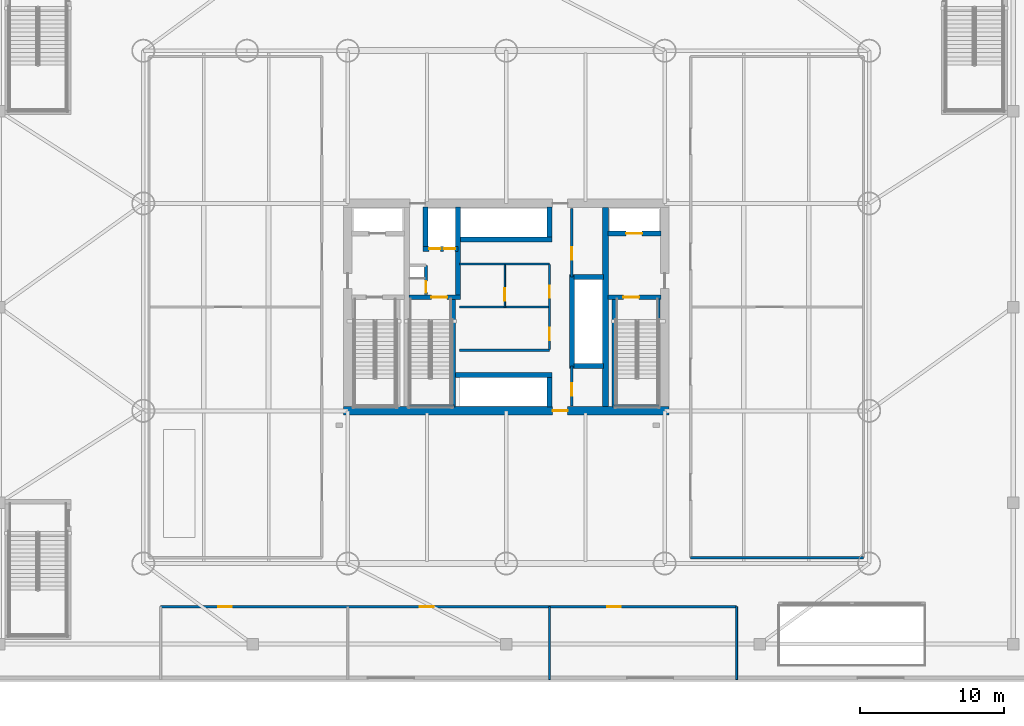
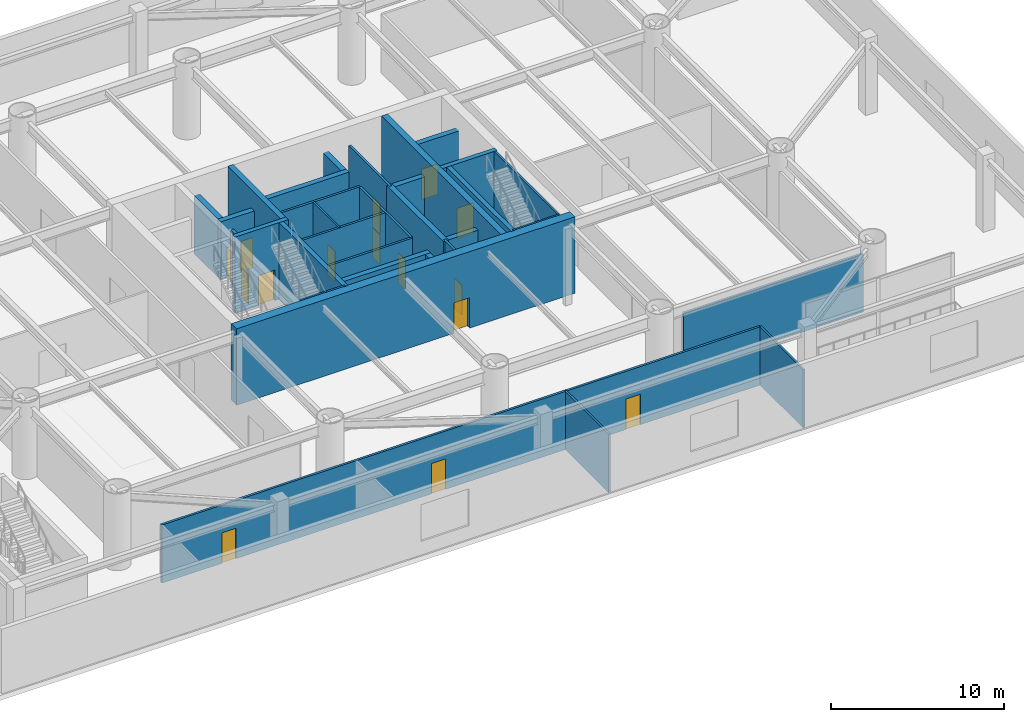
# One storey, part 7 of 16: 32 walls, 15 doors, 15 openings.
"""IFC4 building model written with IfcOpenShell, lengths in metres."""

from ifc_helpers import new_model, si_unit, direction, frame, frame_2d, origin, place, context, subcontext, project, spatial, rectangle, extrude, material, layer, layer_set, type_object, element, fill, save


model = new_model("IFC4")

# Units and contexts
model_context = context("Model", 3, precision=1e-05, world=origin(), true_north=direction((0.0, 1.0)))
body_context = subcontext(model_context, "Body", "Model", "MODEL_VIEW")
ifc_project = project(units=[si_unit("LENGTHUNIT", "METRE"), si_unit("AREAUNIT", "SQUARE_METRE"), si_unit("VOLUMEUNIT", "CUBIC_METRE"), si_unit("PLANEANGLEUNIT", "RADIAN"), si_unit("MASSUNIT", "GRAM", prefix="KILO")], contexts=[model_context])

# Site, building, storey
site_placement = place(None, origin())
site = spatial("IfcSite", under=ifc_project, at=site_placement, CompositionType="ELEMENT")
building_placement = place(site_placement, origin())
building = spatial("IfcBuilding", under=site, at=building_placement, Name="Bramvorn Convention Spire", CompositionType="ELEMENT")
storey_placement = place(building_placement, frame((0.0, 0.0, 6.60009765625)))
storey = spatial("IfcBuildingStorey", under=building, at=storey_placement, Name="L01", CompositionType="ELEMENT", Elevation=6.60009765625)

# Wall, opening, door
ifc_material_1 = material(Name="Concrete C60/70", Category="concrete")
ifc_layer_1 = layer(ifc_material_1, 0.60009765625)
ifc_layer_set_1 = layer_set([ifc_layer_1], Name="Concrete C60/70 - WL-CORE-600")
wall_type_1 = type_object("IfcWallType", Name="WL-CORE-600", PredefinedType="SHEAR", material=ifc_layer_set_1)
wall_1_placement = place(storey_placement, frame((26.699951171875, 18.800048828125, 0.0), z_axis=(0.0, 0.0, 1.0), x_axis=(1.0, 0.0, 0.0)))
wall_1 = element("IfcWall", 1, at=wall_1_placement, inside=storey, type_object=wall_type_1, Name="L01 South RC core shear wall", PredefinedType="SHEAR", context=body_context, shape_type="SweptSolid", body=[
    extrude(rectangle(XDim=22.60009765625, YDim=0.60009765625, at=frame_2d((11.300048828125, 0.0))), origin(), (0.0, 0.0, 1.0), 5.39990234375),
])
opening_1_placement = place(wall_1_placement, frame((14.52001953125, 0.0, 0.0)))
opening_1 = element("IfcOpeningElement", 2, at=opening_1_placement, cuts=wall_1, Name="Opening DL-105", PredefinedType="OPENING", context=body_context, shape_type="SweptSolid", body=[
    extrude(rectangle(XDim=1.050048828125, YDim=2.14990234375, at=frame_2d((0.52490234375, 1.074951171875))), frame((0.0, 0.31005859375, 0.0), z_axis=(0.0, -1.0, 0.0), x_axis=(1.0, 0.0, 0.0)), (0.0, 0.0, 1.0), 0.6201171875),
])
ifc_material_2 = material(Name="Smoke-Sealed Fire Lobby Timber-Core Door", Category="wood")
door_type_1 = type_object("IfcDoorType", Name="DR-LOBBY-1050", OperationType="NOTDEFINED", PredefinedType="DOOR", material=ifc_material_2)
door_1_placement = place(opening_1_placement, origin())
door_1 = element("IfcDoor", 3, at=door_1_placement, inside=storey, type_object=door_type_1, Name="L01 South Lift Lobby fire door", OperationType="SINGLE_SWING_RIGHT", OverallHeight=2.14990234375, OverallWidth=1.050048828125, PredefinedType="DOOR", context=body_context, shape_type="SweptSolid", body=[
    extrude(rectangle(XDim=1.050048828125, YDim=2.14990234375, at=frame_2d((0.52490234375, 1.074951171875))), frame((0.0, 0.02490234375, 0.0), z_axis=(0.0, -1.0, 0.0), x_axis=(1.0, 0.0, 0.0)), (0.0, 0.0, 1.0), 0.050048828125),
])
fill(opening_1, door_1)

ifc_material_3 = material(Name="Concrete C50/60", Category="concrete")
ifc_layer_2 = layer(ifc_material_3, 0.35009765625)
ifc_layer_set_2 = layer_set([ifc_layer_2], Name="Concrete C50/60 - WL-CORE-INT-350")
wall_type_2 = type_object("IfcWallType", Name="WL-CORE-INT-350", PredefinedType="SHEAR", material=ifc_layer_set_2)
wall_2_placement = place(storey_placement, frame((45.080078125, 31.1201171875, 0.0), z_axis=(0.0, 0.0, 1.0), x_axis=(1.0, 0.0, 0.0)))
wall_2 = element("IfcWall", 4, at=wall_2_placement, inside=storey, type_object=wall_type_2, Name="L01 FE2 shaft front wall", PredefinedType="SHEAR", context=body_context, shape_type="SweptSolid", body=[
    extrude(rectangle(XDim=3.669921875, YDim=0.35009765625, at=frame_2d((1.8349609375, 0.0))), origin(), (0.0, 0.0, 1.0), 4.10986328125),
])
opening_2_placement = place(wall_2_placement, frame((1.25, 0.0, 0.0)))
opening_2 = element("IfcOpeningElement", 5, at=opening_2_placement, cuts=wall_2, Name="Opening LD-110", PredefinedType="OPENING", context=body_context, shape_type="SweptSolid", body=[
    extrude(rectangle(XDim=1.10009765625, YDim=2.14990234375, at=frame_2d((0.550048828125, 1.074951171875))), frame((0.0, 0.18505859375, 0.0), z_axis=(0.0, -1.0, 0.0), x_axis=(1.0, 0.0, 0.0)), (0.0, 0.0, 1.0), 0.3701171875),
])
ifc_material_4 = material(Name="Firefighting & Service Lift Sliding Landing Door", Category="steel")
door_type_2 = type_object("IfcDoorType", Name="DR-LIFT-LD-1100", OperationType="NOTDEFINED", PredefinedType="DOOR", material=ifc_material_4)
door_2_placement = place(opening_2_placement, origin())
door_2 = element("IfcDoor", 6, at=door_2_placement, inside=storey, type_object=door_type_2, Name="L01 Lift FE2 Sliding Landing Door", OperationType="SLIDING_TO_LEFT", OverallHeight=2.14990234375, OverallWidth=1.10009765625, PredefinedType="DOOR", context=body_context, shape_type="SweptSolid", body=[
    extrude(rectangle(XDim=1.10009765625, YDim=2.14990234375, at=frame_2d((0.550048828125, 1.074951171875))), frame((0.0, 0.02490234375, 0.0), z_axis=(0.0, -1.0, 0.0), x_axis=(1.0, 0.0, 0.0)), (0.0, 0.0, 1.0), 0.050048828125),
])
fill(opening_2, door_2)

# Wall
wall_3_placement = place(storey_placement, frame((34.639892578125, 26.68994140625, 0.0), z_axis=(0.0, 0.0, 1.0), x_axis=(0.0, 1.0, 0.0)))
element("IfcWall", 7, at=wall_3_placement, inside=storey, type_object=wall_type_2, Name="L01 SV east core shaft wall", PredefinedType="SHEAR", context=body_context, shape_type="SweptSolid", body=[
    extrude(rectangle(XDim=6.260009765625, YDim=0.35009765625, at=frame_2d((3.1298828125, 0.0))), origin(), (0.0, 0.0, 1.0), 5.39990234375),
])

# Wall, openings, doors
wall_4_placement = place(storey_placement, frame((32.22998046875, 30.050048828125, 0.0), z_axis=(0.0, 0.0, 1.0), x_axis=(1.0, 0.0, 0.0)))
wall_4 = element("IfcWall", 8, at=wall_4_placement, inside=storey, type_object=wall_type_2, Name="L01 SV1/SV2 shaft front wall", PredefinedType="SHEAR", context=body_context, shape_type="SweptSolid", body=[
    extrude(rectangle(XDim=2.409912109375, YDim=0.35009765625, at=frame_2d((1.205078125, 0.0))), origin(), (0.0, 0.0, 1.0), 4.10986328125),
])
opening_3_placement = place(wall_4_placement, frame((0.419921875, 0.0, 0.0)))
opening_3 = element("IfcOpeningElement", 9, at=opening_3_placement, cuts=wall_4, Name="Opening LD-080", PredefinedType="OPENING", context=body_context, shape_type="SweptSolid", body=[
    extrude(rectangle(XDim=0.800048828125, YDim=2.14990234375, at=frame_2d((0.39990234375, 1.074951171875))), frame((0.0, 0.18505859375, 0.0), z_axis=(0.0, -1.0, 0.0), x_axis=(1.0, 0.0, 0.0)), (0.0, 0.0, 1.0), 0.3701171875),
])
opening_4_placement = place(wall_4_placement, frame((1.419921875, 0.0, 0.0)))
opening_4 = element("IfcOpeningElement", 10, at=opening_4_placement, cuts=wall_4, Name="Opening LD-080", PredefinedType="OPENING", context=body_context, shape_type="SweptSolid", body=[
    extrude(rectangle(XDim=0.800048828125, YDim=2.14990234375, at=frame_2d((0.39990234375, 1.074951171875))), frame((0.0, 0.18505859375, 0.0), z_axis=(0.0, -1.0, 0.0), x_axis=(1.0, 0.0, 0.0)), (0.0, 0.0, 1.0), 0.3701171875),
])
ifc_material_5 = material(Name="Service Lift Bi-Parting Landing Door", Category="steel")
door_type_3 = type_object("IfcDoorType", Name="DR-LIFT-LD-800", OperationType="NOTDEFINED", PredefinedType="DOOR", material=ifc_material_5)
door_3_placement = place(opening_3_placement, origin())
door_3 = element("IfcDoor", 11, at=door_3_placement, inside=storey, type_object=door_type_3, Name="L01 Lift SV1 Sliding Landing Door", OperationType="SLIDING_TO_LEFT", OverallHeight=2.14990234375, OverallWidth=0.800048828125, PredefinedType="DOOR", context=body_context, shape_type="SweptSolid", body=[
    extrude(rectangle(XDim=0.800048828125, YDim=2.14990234375, at=frame_2d((0.39990234375, 1.074951171875))), frame((0.0, 0.02490234375, 0.0), z_axis=(0.0, -1.0, 0.0), x_axis=(1.0, 0.0, 0.0)), (0.0, 0.0, 1.0), 0.050048828125),
])
fill(opening_3, door_3)
door_4_placement = place(opening_4_placement, origin())
door_4 = element("IfcDoor", 12, at=door_4_placement, inside=storey, type_object=door_type_3, Name="L01 Lift SV2 Sliding Landing Door", OperationType="SLIDING_TO_LEFT", OverallHeight=2.14990234375, OverallWidth=0.800048828125, PredefinedType="DOOR", context=body_context, shape_type="SweptSolid", body=[
    extrude(rectangle(XDim=0.800048828125, YDim=2.14990234375, at=frame_2d((0.39990234375, 1.074951171875))), frame((0.0, 0.02490234375, 0.0), z_axis=(0.0, -1.0, 0.0), x_axis=(1.0, 0.0, 0.0)), (0.0, 0.0, 1.0), 0.050048828125),
])
fill(opening_4, door_4)

# Walls
wall_5_placement = place(storey_placement, frame((32.39990234375, 30.219970703125, 0.0), z_axis=(0.0, 0.0, 1.0), x_axis=(0.0, 1.0, 0.0)))
element("IfcWall", 13, at=wall_5_placement, inside=storey, type_object=wall_type_2, Name="L01 SV1 west hoistway wall", PredefinedType="SHEAR", context=body_context, shape_type="SweptSolid", body=[
    extrude(rectangle(XDim=2.72998046875, YDim=0.35009765625, at=frame_2d((1.364990234375, 0.0))), origin(), (0.0, 0.0, 1.0), 4.10986328125),
])
wall_6_placement = place(storey_placement, frame((42.550048828125, 21.72998046875, 0.0), z_axis=(0.0, 0.0, 1.0), x_axis=(0.0, 1.0, 0.0)))
element("IfcWall", 14, at=wall_6_placement, inside=storey, type_object=wall_type_2, Name="L01 High-rise lift bank west wall", PredefinedType="SHEAR", context=body_context, shape_type="SweptSolid", body=[
    extrude(rectangle(XDim=6.5400390625, YDim=0.35009765625, at=frame_2d((3.27001953125, 0.0))), origin(), (0.0, 0.0, 1.0), 4.10986328125),
])
for number, where, z_axis, x_axis, name in (
    (15, (42.719970703125, 21.89990234375, 0.0), (0.0, 0.0, 1.0), (1.0, 0.0, 0.0), "L01 High-rise lift bank south wall"),
    (16, (42.719970703125, 28.10009765625, 0.0), (0.0, 0.0, 1.0), (1.0, 0.0, 0.0), "L01 High-rise lift bank north wall"),
):
    element("IfcWall", number, at=place(storey_placement, frame(where, z_axis=z_axis, x_axis=x_axis)), inside=storey, type_object=wall_type_2, Name=name, PredefinedType="SHEAR", context=body_context, shape_type="SweptSolid", body=[
        extrude(rectangle(XDim=2.030029296875, YDim=0.35009765625, at=frame_2d((1.01513671875, 0.0))), origin(), (0.0, 0.0, 1.0), 4.10986328125),
    ])
wall_7_placement = place(storey_placement, frame((34.81005859375, 30.699951171875, 0.0), z_axis=(0.0, 0.0, 1.0), x_axis=(1.0, 0.0, 0.0)))
element("IfcWall", 17, at=wall_7_placement, inside=storey, type_object=wall_type_2, Name="L01 Low-rise bank south landing wall", PredefinedType="SHEAR", context=body_context, shape_type="SweptSolid", body=[
    extrude(rectangle(XDim=6.35986328125, YDim=0.35009765625, at=frame_2d((3.179931640625, 0.0))), origin(), (0.0, 0.0, 1.0), 4.10986328125),
])
wall_8_placement = place(storey_placement, frame((41.0, 30.8701171875, 0.0), z_axis=(0.0, 0.0, 1.0), x_axis=(0.0, 1.0, 0.0)))
element("IfcWall", 18, at=wall_8_placement, inside=storey, type_object=wall_type_2, Name="L01 Low-rise bank east cheek wall", PredefinedType="SHEAR", context=body_context, shape_type="SweptSolid", body=[
    extrude(rectangle(XDim=2.079833984375, YDim=0.35009765625, at=frame_2d((1.0400390625, 0.0))), origin(), (0.0, 0.0, 1.0), 4.10986328125),
])
wall_9_placement = place(storey_placement, frame((34.489990234375, 21.300048828125, 0.0), z_axis=(0.0, 0.0, 1.0), x_axis=(1.0, 0.0, 0.0)))
element("IfcWall", 19, at=wall_9_placement, inside=storey, type_object=wall_type_2, Name="L01 Mid-rise bank north landing wall", PredefinedType="SHEAR", context=body_context, shape_type="SweptSolid", body=[
    extrude(rectangle(XDim=6.679931640625, YDim=0.35009765625, at=frame_2d((3.33984375, 0.0))), origin(), (0.0, 0.0, 1.0), 4.10986328125),
])
wall_10_placement = place(storey_placement, frame((41.0, 19.050048828125, 0.0), z_axis=(0.0, 0.0, 1.0), x_axis=(0.0, 1.0, 0.0)))
element("IfcWall", 20, at=wall_10_placement, inside=storey, type_object=wall_type_2, Name="L01 Mid-rise bank east cheek wall", PredefinedType="SHEAR", context=body_context, shape_type="SweptSolid", body=[
    extrude(rectangle(XDim=2.079833984375, YDim=0.35009765625, at=frame_2d((1.0400390625, 0.0))), origin(), (0.0, 0.0, 1.0), 4.10986328125),
])
ifc_layer_3 = layer(ifc_material_1, 0.39990234375)
ifc_layer_set_3 = layer_set([ifc_layer_3], Name="Concrete C60/70 - WL-CORE-INT-400")
wall_type_3 = type_object("IfcWallType", Name="WL-CORE-INT-400", PredefinedType="SHEAR", material=ifc_layer_set_3)
wall_11_placement = place(storey_placement, frame((44.89990234375, 19.10009765625, 0.0), z_axis=(0.0, 0.0, 1.0), x_axis=(0.0, 1.0, 0.0)))
element("IfcWall", 21, at=wall_11_placement, inside=storey, type_object=wall_type_3, Name="L01 East internal core shear web", PredefinedType="SHEAR", context=body_context, shape_type="SweptSolid", body=[
    extrude(rectangle(XDim=13.7998046875, YDim=0.39990234375, at=frame_2d((6.89990234375, 0.0))), origin(), (0.0, 0.0, 1.0), 5.39990234375),
])

# Wall, opening, door
ifc_material_6 = material(Name="Lightweight En-Suite & Wet-Wall Partition", Category="gypsum")
ifc_layer_4 = layer(ifc_material_6, 0.110107421875)
ifc_layer_set_4 = layer_set([ifc_layer_4], Name="Lightweight En-Suite & Wet-Wall Partition - WL-PART-110")
wall_type_4 = type_object("IfcWallType", Name="WL-PART-110", PredefinedType="PARTITIONING", material=ifc_layer_set_4)
wall_12_placement = place(storey_placement, frame((37.89990234375, 26.0, 0.0), z_axis=(0.0, 0.0, 1.0), x_axis=(0.0, 1.0, 0.0)))
wall_12 = element("IfcWall", 22, at=wall_12_placement, inside=storey, type_object=wall_type_4, Name="L01 Core restroom subwall", PredefinedType="PARTITIONING", context=body_context, shape_type="SweptSolid", body=[
    extrude(rectangle(XDim=2.949951171875, YDim=0.110107421875, at=frame_2d((1.47509765625, 0.0))), origin(), (0.0, 0.0, 1.0), 4.10986328125),
])
opening_5_placement = place(wall_12_placement, frame((0.449951171875, 0.0, 0.0)))
opening_5 = element("IfcOpeningElement", 23, at=opening_5_placement, cuts=wall_12, Name="Opening DC-085", PredefinedType="OPENING", context=body_context, shape_type="SweptSolid", body=[
    extrude(rectangle(XDim=0.85009765625, YDim=2.10009765625, at=frame_2d((0.425048828125, 1.050048828125))), frame((0.0, 0.06494140625, 0.0), z_axis=(0.0, -1.0, 0.0), x_axis=(1.0, 0.0, 0.0)), (0.0, 0.0, 1.0), 0.130126953125),
])
ifc_material_7 = material(Name="Fire-Rated Core Washroom & IDF Door", Category="wood")
door_type_4 = type_object("IfcDoorType", Name="DR-CORE-850", OperationType="NOTDEFINED", PredefinedType="DOOR", material=ifc_material_7)
door_5_placement = place(opening_5_placement, origin())
door_5 = element("IfcDoor", 24, at=door_5_placement, inside=storey, type_object=door_type_4, Name="L01 Core telecom store door", OperationType="SINGLE_SWING_LEFT", OverallHeight=2.10009765625, OverallWidth=0.85009765625, PredefinedType="DOOR", context=body_context, shape_type="SweptSolid", body=[
    extrude(rectangle(XDim=0.85009765625, YDim=2.10009765625, at=frame_2d((0.425048828125, 1.050048828125))), frame((0.0, 0.02490234375, 0.0), z_axis=(0.0, -1.0, 0.0), x_axis=(1.0, 0.0, 0.0)), (0.0, 0.0, 1.0), 0.050048828125),
])
fill(opening_5, door_5)

# Walls
ifc_material_8 = material(Name="Metal-Stud Demountable Office Partition", Category="gypsum")
ifc_layer_5 = layer(ifc_material_8, 0.1298828125)
ifc_layer_set_5 = layer_set([ifc_layer_5], Name="Metal-Stud Demountable Office Partition - WL-PART-130")
wall_type_5 = type_object("IfcWallType", Name="WL-PART-130", PredefinedType="PARTITIONING", material=ifc_layer_set_5)
for number, where, z_axis, x_axis, name in (
    (25, (41.0, 0.139892578125, 0.0), (0.0, 0.0, 1.0), (0.0, 1.0, 0.0), "L01 South divider 41"),
    (26, (54.0, 0.139892578125, 0.0), (0.0, 0.0, 1.0), (0.0, 1.0, 0.0), "L01 South divider 54"),
):
    element("IfcWall", number, at=place(storey_placement, frame(where, z_axis=z_axis, x_axis=x_axis)), inside=storey, type_object=wall_type_5, Name=name, PredefinedType="PARTITIONING", context=body_context, shape_type="SweptSolid", body=[
        extrude(rectangle(XDim=5.06005859375, YDim=0.1298828125, at=frame_2d((2.530029296875, 0.0))), origin(), (0.0, 0.0, 1.0), 4.10986328125),
    ])
ifc_material_9 = material(Name="Acoustic Metal-Stud Tenant/Corridor Partition", Category="gypsum")
ifc_layer_6 = layer(ifc_material_9, 0.14990234375)
ifc_layer_set_6 = layer_set([ifc_layer_6], Name="Acoustic Metal-Stud Tenant/Corridor Partition - WL-PART-150")
wall_type_6 = type_object("IfcWallType", Name="WL-PART-150", PredefinedType="PARTITIONING", material=ifc_layer_set_6)
for number, where, z_axis, x_axis, name in (
    (27, (34.75, 29.0, 0.0), (0.0, 0.0, 1.0), (1.0, 0.0, 0.0), "L01 Low-rise lift vestibule south wall"),
    (28, (34.75, 23.0, 0.0), (0.0, 0.0, 1.0), (1.0, 0.0, 0.0), "L01 Mid-rise lift vestibule north wall"),
):
    element("IfcWall", number, at=place(storey_placement, frame(where, z_axis=z_axis, x_axis=x_axis)), inside=storey, type_object=wall_type_6, Name=name, PredefinedType="PARTITIONING", context=body_context, shape_type="SweptSolid", body=[
        extrude(rectangle(XDim=6.25, YDim=0.14990234375, at=frame_2d((3.125, 0.0))), origin(), (0.0, 0.0, 1.0), 4.10986328125),
    ])

# Wall, openings, doors
wall_13_placement = place(storey_placement, frame((41.0, 23.050048828125, 0.0), z_axis=(0.0, 0.0, 1.0), x_axis=(0.0, 1.0, 0.0)))
wall_13 = element("IfcWall", 29, at=wall_13_placement, inside=storey, type_object=wall_type_6, Name="L01 Core room east wall", PredefinedType="PARTITIONING", context=body_context, shape_type="SweptSolid", body=[
    extrude(rectangle(XDim=5.89990234375, YDim=0.14990234375, at=frame_2d((2.949951171875, 0.0))), origin(), (0.0, 0.0, 1.0), 4.10986328125),
])
opening_6_placement = place(wall_13_placement, frame((0.64990234375, 0.0, 0.0)))
opening_6 = element("IfcOpeningElement", 30, at=opening_6_placement, cuts=wall_13, Name="Opening DC-085", PredefinedType="OPENING", context=body_context, shape_type="SweptSolid", body=[
    extrude(rectangle(XDim=0.85009765625, YDim=2.10009765625, at=frame_2d((0.425048828125, 1.050048828125))), frame((0.0, 0.0849609375, 0.0), z_axis=(0.0, -1.0, 0.0), x_axis=(1.0, 0.0, 0.0)), (0.0, 0.0, 1.0), 0.169921875),
])
opening_7_placement = place(wall_13_placement, frame((3.60009765625, 0.0, 0.0)))
opening_7 = element("IfcOpeningElement", 31, at=opening_7_placement, cuts=wall_13, Name="Opening DC-085", PredefinedType="OPENING", context=body_context, shape_type="SweptSolid", body=[
    extrude(rectangle(XDim=0.85009765625, YDim=2.10009765625, at=frame_2d((0.425048828125, 1.050048828125))), frame((0.0, 0.0849609375, 0.0), z_axis=(0.0, -1.0, 0.0), x_axis=(1.0, 0.0, 0.0)), (0.0, 0.0, 1.0), 0.169921875),
])
door_6_placement = place(opening_6_placement, origin())
door_6 = element("IfcDoor", 32, at=door_6_placement, inside=storey, type_object=door_type_4, Name="L01 Core room 1 door", OperationType="SINGLE_SWING_LEFT", OverallHeight=2.10009765625, OverallWidth=0.85009765625, PredefinedType="DOOR", context=body_context, shape_type="SweptSolid", body=[
    extrude(rectangle(XDim=0.85009765625, YDim=2.10009765625, at=frame_2d((0.425048828125, 1.050048828125))), frame((0.0, 0.02490234375, 0.0), z_axis=(0.0, -1.0, 0.0), x_axis=(1.0, 0.0, 0.0)), (0.0, 0.0, 1.0), 0.050048828125),
])
fill(opening_6, door_6)
door_7_placement = place(opening_7_placement, origin())
door_7 = element("IfcDoor", 33, at=door_7_placement, inside=storey, type_object=door_type_4, Name="L01 Core room 2 door", OperationType="SINGLE_SWING_LEFT", OverallHeight=2.10009765625, OverallWidth=0.85009765625, PredefinedType="DOOR", context=body_context, shape_type="SweptSolid", body=[
    extrude(rectangle(XDim=0.85009765625, YDim=2.10009765625, at=frame_2d((0.425048828125, 1.050048828125))), frame((0.0, 0.02490234375, 0.0), z_axis=(0.0, -1.0, 0.0), x_axis=(1.0, 0.0, 0.0)), (0.0, 0.0, 1.0), 0.050048828125),
])
fill(opening_7, door_7)

# Wall
wall_14_placement = place(storey_placement, frame((34.75, 26.0, 0.0), z_axis=(0.0, 0.0, 1.0), x_axis=(1.0, 0.0, 0.0)))
element("IfcWall", 34, at=wall_14_placement, inside=storey, type_object=wall_type_6, Name="L01 Core room divider", PredefinedType="PARTITIONING", context=body_context, shape_type="SweptSolid", body=[
    extrude(rectangle(XDim=6.25, YDim=0.14990234375, at=frame_2d((3.125, 0.0))), origin(), (0.0, 0.0, 1.0), 4.10986328125),
])

# Wall, opening, door
wall_15_placement = place(storey_placement, frame((42.550048828125, 28.10009765625, 0.0), z_axis=(0.0, 0.0, 1.0), x_axis=(0.0, 1.0, 0.0)))
wall_15 = element("IfcWall", 35, at=wall_15_placement, inside=storey, type_object=wall_type_6, Name="L01 Core NE store wall", PredefinedType="PARTITIONING", context=body_context, shape_type="SweptSolid", body=[
    extrude(rectangle(XDim=4.75, YDim=0.14990234375, at=frame_2d((2.375, 0.0))), origin(), (0.0, 0.0, 1.0), 4.10986328125),
])
opening_8_placement = place(wall_15_placement, frame((1.199951171875, 0.0, 0.0)))
opening_8 = element("IfcOpeningElement", 36, at=opening_8_placement, cuts=wall_15, Name="Opening DC-085", PredefinedType="OPENING", context=body_context, shape_type="SweptSolid", body=[
    extrude(rectangle(XDim=0.85009765625, YDim=2.10009765625, at=frame_2d((0.425048828125, 1.050048828125))), frame((0.0, 0.0849609375, 0.0), z_axis=(0.0, -1.0, 0.0), x_axis=(1.0, 0.0, 0.0)), (0.0, 0.0, 1.0), 0.169921875),
])
door_8_placement = place(opening_8_placement, origin())
door_8 = element("IfcDoor", 37, at=door_8_placement, inside=storey, type_object=door_type_4, Name="L01 Core NE store door", OperationType="SINGLE_SWING_LEFT", OverallHeight=2.10009765625, OverallWidth=0.85009765625, PredefinedType="DOOR", context=body_context, shape_type="SweptSolid", body=[
    extrude(rectangle(XDim=0.85009765625, YDim=2.10009765625, at=frame_2d((0.425048828125, 1.050048828125))), frame((0.0, 0.02490234375, 0.0), z_axis=(0.0, -1.0, 0.0), x_axis=(1.0, 0.0, 0.0)), (0.0, 0.0, 1.0), 0.050048828125),
])
fill(opening_8, door_8)

wall_16_placement = place(storey_placement, frame((42.550048828125, 19.14990234375, 0.0), z_axis=(0.0, 0.0, 1.0), x_axis=(0.0, 1.0, 0.0)))
wall_16 = element("IfcWall", 38, at=wall_16_placement, inside=storey, type_object=wall_type_6, Name="L01 Core SE riser wall", PredefinedType="PARTITIONING", context=body_context, shape_type="SweptSolid", body=[
    extrude(rectangle(XDim=2.75, YDim=0.14990234375, at=frame_2d((1.375, 0.0))), origin(), (0.0, 0.0, 1.0), 4.10986328125),
])
opening_9_placement = place(wall_16_placement, frame((0.699951171875, 0.0, 0.0)))
opening_9 = element("IfcOpeningElement", 39, at=opening_9_placement, cuts=wall_16, Name="Opening DC-085", PredefinedType="OPENING", context=body_context, shape_type="SweptSolid", body=[
    extrude(rectangle(XDim=0.85009765625, YDim=2.10009765625, at=frame_2d((0.425048828125, 1.050048828125))), frame((0.0, 0.0849609375, 0.0), z_axis=(0.0, -1.0, 0.0), x_axis=(1.0, 0.0, 0.0)), (0.0, 0.0, 1.0), 0.169921875),
])
door_9_placement = place(opening_9_placement, origin())
door_9 = element("IfcDoor", 40, at=door_9_placement, inside=storey, type_object=door_type_4, Name="L01 Core SE riser door", OperationType="SINGLE_SWING_LEFT", OverallHeight=2.10009765625, OverallWidth=0.85009765625, PredefinedType="DOOR", context=body_context, shape_type="SweptSolid", body=[
    extrude(rectangle(XDim=0.85009765625, YDim=2.10009765625, at=frame_2d((0.425048828125, 1.050048828125))), frame((0.0, 0.02490234375, 0.0), z_axis=(0.0, -1.0, 0.0), x_axis=(1.0, 0.0, 0.0)), (0.0, 0.0, 1.0), 0.050048828125),
])
fill(opening_9, door_9)

# Wall
wall_17_placement = place(storey_placement, frame((50.800048828125, 8.60009765625, 0.0), z_axis=(0.0, 0.0, 1.0), x_axis=(1.0, 0.0, 0.0)))
element("IfcWall", 41, at=wall_17_placement, inside=storey, type_object=wall_type_6, Name="L01 East Hall south wall", PredefinedType="PARTITIONING", context=body_context, shape_type="SweptSolid", body=[
    extrude(rectangle(XDim=12.0, YDim=0.14990234375, at=frame_2d((6.0, 0.0))), origin(), (0.0, 0.0, 1.0), 4.10986328125),
])

# Wall, openings, doors
wall_18_placement = place(storey_placement, frame((14.0, 5.199951171875, 0.0), z_axis=(0.0, 0.0, 1.0), x_axis=(1.0, 0.0, 0.0)))
wall_18 = element("IfcWall", 42, at=wall_18_placement, inside=storey, type_object=wall_type_6, Name="L01 South breakout wall", PredefinedType="PARTITIONING", context=body_context, shape_type="SweptSolid", body=[
    extrude(rectangle(XDim=40.0, YDim=0.14990234375, at=frame_2d((20.0, 0.0))), origin(), (0.0, 0.0, 1.0), 4.10986328125),
])
opening_10_placement = place(wall_18_placement, frame((4.0, 0.0, 0.0)))
opening_10 = element("IfcOpeningElement", 43, at=opening_10_placement, cuts=wall_18, Name="Opening DH-095", PredefinedType="OPENING", context=body_context, shape_type="SweptSolid", body=[
    extrude(rectangle(XDim=0.949951171875, YDim=2.14990234375, at=frame_2d((0.47509765625, 1.074951171875))), frame((0.0, 0.0849609375, 0.0), z_axis=(0.0, -1.0, 0.0), x_axis=(1.0, 0.0, 0.0)), (0.0, 0.0, 1.0), 0.169921875),
])
opening_11_placement = place(wall_18_placement, frame((18.0, 0.0, 0.0)))
opening_11 = element("IfcOpeningElement", 44, at=opening_11_placement, cuts=wall_18, Name="Opening DH-095", PredefinedType="OPENING", context=body_context, shape_type="SweptSolid", body=[
    extrude(rectangle(XDim=0.949951171875, YDim=2.14990234375, at=frame_2d((0.47509765625, 1.074951171875))), frame((0.0, 0.0849609375, 0.0), z_axis=(0.0, -1.0, 0.0), x_axis=(1.0, 0.0, 0.0)), (0.0, 0.0, 1.0), 0.169921875),
])
opening_12_placement = place(wall_18_placement, frame((31.0, 0.0, 0.0)))
opening_12 = element("IfcOpeningElement", 45, at=opening_12_placement, cuts=wall_18, Name="Opening DH-095", PredefinedType="OPENING", context=body_context, shape_type="SweptSolid", body=[
    extrude(rectangle(XDim=0.949951171875, YDim=2.14990234375, at=frame_2d((0.47509765625, 1.074951171875))), frame((0.0, 0.0849609375, 0.0), z_axis=(0.0, -1.0, 0.0), x_axis=(1.0, 0.0, 0.0)), (0.0, 0.0, 1.0), 0.169921875),
])
ifc_material_10 = material(Name="Solid-Core Acoustic Guestroom Entry Door", Category="wood")
door_type_5 = type_object("IfcDoorType", Name="DR-HOTEL-950", OperationType="NOTDEFINED", PredefinedType="DOOR", material=ifc_material_10)
door_10_placement = place(opening_10_placement, origin())
door_10 = element("IfcDoor", 46, at=door_10_placement, inside=storey, type_object=door_type_5, Name="L01 Breakout Suite 1 door", OperationType="SINGLE_SWING_LEFT", OverallHeight=2.14990234375, OverallWidth=0.949951171875, PredefinedType="DOOR", context=body_context, shape_type="SweptSolid", body=[
    extrude(rectangle(XDim=0.949951171875, YDim=2.14990234375, at=frame_2d((0.47509765625, 1.074951171875))), frame((0.0, 0.02490234375, 0.0), z_axis=(0.0, -1.0, 0.0), x_axis=(1.0, 0.0, 0.0)), (0.0, 0.0, 1.0), 0.050048828125),
])
fill(opening_10, door_10)
door_11_placement = place(opening_11_placement, origin())
door_11 = element("IfcDoor", 47, at=door_11_placement, inside=storey, type_object=door_type_5, Name="L01 Delegate Restrooms door", OperationType="SINGLE_SWING_LEFT", OverallHeight=2.14990234375, OverallWidth=0.949951171875, PredefinedType="DOOR", context=body_context, shape_type="SweptSolid", body=[
    extrude(rectangle(XDim=0.949951171875, YDim=2.14990234375, at=frame_2d((0.47509765625, 1.074951171875))), frame((0.0, 0.02490234375, 0.0), z_axis=(0.0, -1.0, 0.0), x_axis=(1.0, 0.0, 0.0)), (0.0, 0.0, 1.0), 0.050048828125),
])
fill(opening_11, door_11)
door_12_placement = place(opening_12_placement, origin())
door_12 = element("IfcDoor", 48, at=door_12_placement, inside=storey, type_object=door_type_5, Name="L01 Catering Kitchen door", OperationType="SINGLE_SWING_LEFT", OverallHeight=2.14990234375, OverallWidth=0.949951171875, PredefinedType="DOOR", context=body_context, shape_type="SweptSolid", body=[
    extrude(rectangle(XDim=0.949951171875, YDim=2.14990234375, at=frame_2d((0.47509765625, 1.074951171875))), frame((0.0, 0.02490234375, 0.0), z_axis=(0.0, -1.0, 0.0), x_axis=(1.0, 0.0, 0.0)), (0.0, 0.0, 1.0), 0.050048828125),
])
fill(opening_12, door_12)

# Wall, opening, door
ifc_material_11 = material(Name="Gypsum Shaftwall & Rockwool Core Partition", Category="gypsum")
ifc_layer_7 = layer(ifc_material_11, 0.199951171875)
ifc_layer_set_7 = layer_set([ifc_layer_7], Name="Gypsum Shaftwall & Rockwool Core Partition - WL-PART-200-FR")
wall_type_7 = type_object("IfcWallType", Name="WL-PART-200-FR", PredefinedType="PARTITIONING", material=ifc_layer_set_7)
wall_19_placement = place(storey_placement, frame((32.419921875, 26.860107421875, 0.0), z_axis=(0.0, 0.0, 1.0), x_axis=(0.0, 1.0, 0.0)))
wall_19 = element("IfcWall", 49, at=wall_19_placement, inside=storey, type_object=wall_type_7, Name="L01 Telecom riser east wall", PredefinedType="PARTITIONING", context=body_context, shape_type="SweptSolid", body=[
    extrude(rectangle(XDim=2.039794921875, YDim=0.199951171875, at=frame_2d((1.02001953125, 0.0))), origin(), (0.0, 0.0, 1.0), 4.10986328125),
])
opening_13_placement = place(wall_19_placement, frame((0.139892578125, 0.0, 0.0)))
opening_13 = element("IfcOpeningElement", 50, at=opening_13_placement, cuts=wall_19, Name="Opening DR-080", PredefinedType="OPENING", context=body_context, shape_type="SweptSolid", body=[
    extrude(rectangle(XDim=0.800048828125, YDim=2.050048828125, at=frame_2d((0.39990234375, 1.02490234375))), frame((0.0, 0.10986328125, 0.0), z_axis=(0.0, -1.0, 0.0), x_axis=(1.0, 0.0, 0.0)), (0.0, 0.0, 1.0), 0.219970703125),
])
ifc_material_12 = material(Name="Flush Steel Riser Access Door", Category="steel")
door_type_6 = type_object("IfcDoorType", Name="DR-RISER-800", OperationType="NOTDEFINED", PredefinedType="DOOR", material=ifc_material_12)
door_13_placement = place(opening_13_placement, origin())
door_13 = element("IfcDoor", 51, at=door_13_placement, inside=storey, type_object=door_type_6, Name="L01 Telecom riser access door", OperationType="SINGLE_SWING_RIGHT", OverallHeight=2.050048828125, OverallWidth=0.800048828125, PredefinedType="DOOR", context=body_context, shape_type="SweptSolid", body=[
    extrude(rectangle(XDim=0.800048828125, YDim=2.050048828125, at=frame_2d((0.39990234375, 1.02490234375))), frame((0.0, 0.02490234375, 0.0), z_axis=(0.0, -1.0, 0.0), x_axis=(1.0, 0.0, 0.0)), (0.0, 0.0, 1.0), 0.050048828125),
])
fill(opening_13, door_13)

ifc_layer_8 = layer(ifc_material_3, 0.300048828125)
ifc_layer_set_8 = layer_set([ifc_layer_8], Name="Concrete C50/60 - WL-POD-STAIR-300")
wall_type_8 = type_object("IfcWallType", Name="WL-POD-STAIR-300", PredefinedType="SHEAR", material=ifc_layer_set_8)
wall_20_placement = place(storey_placement, frame((45.080078125, 26.68994140625, 0.0), z_axis=(0.0, 0.0, 1.0), x_axis=(1.0, 0.0, 0.0)))
wall_20 = element("IfcWall", 52, at=wall_20_placement, inside=storey, type_object=wall_type_8, Name="L01 ST2 north fire wall", PredefinedType="SHEAR", context=body_context, shape_type="SweptSolid", body=[
    extrude(rectangle(XDim=3.669921875, YDim=0.300048828125, at=frame_2d((1.8349609375, 0.0))), origin(), (0.0, 0.0, 1.0), 5.39990234375),
])
opening_14_placement = place(wall_20_placement, frame((1.050048828125, 0.0, 0.0)))
opening_14 = element("IfcOpeningElement", 53, at=opening_14_placement, cuts=wall_20, Name="Opening DS-110", PredefinedType="OPENING", context=body_context, shape_type="SweptSolid", body=[
    extrude(rectangle(XDim=1.10009765625, YDim=2.14990234375, at=frame_2d((0.550048828125, 1.074951171875))), frame((0.0, 0.159912109375, 0.0), z_axis=(0.0, -1.0, 0.0), x_axis=(1.0, 0.0, 0.0)), (0.0, 0.0, 1.0), 0.320068359375),
])
ifc_material_13 = material(Name="Fire-Rated Hollow Steel Stairwell Door", Category="steel")
door_type_7 = type_object("IfcDoorType", Name="DR-STAIR-1100", OperationType="NOTDEFINED", PredefinedType="DOOR", material=ifc_material_13)
door_14_placement = place(opening_14_placement, origin())
door_14 = element("IfcDoor", 54, at=door_14_placement, inside=storey, type_object=door_type_7, Name="L01 Stair ST2 fire door", OperationType="SINGLE_SWING_RIGHT", OverallHeight=2.14990234375, OverallWidth=1.10009765625, PredefinedType="DOOR", context=body_context, shape_type="SweptSolid", body=[
    extrude(rectangle(XDim=1.10009765625, YDim=2.14990234375, at=frame_2d((0.550048828125, 1.074951171875))), frame((0.0, 0.02490234375, 0.0), z_axis=(0.0, -1.0, 0.0), x_axis=(1.0, 0.0, 0.0)), (0.0, 0.0, 1.0), 0.050048828125),
])
fill(opening_14, door_14)

# Walls
for number, where, z_axis, x_axis, name in (
    (55, (45.510009765625, 19.050048828125, 0.0), (0.0, 0.0, 1.0), (0.0, 1.0, 0.0), "L01 ST2 west bearing wall"),
    (56, (34.340087890625, 19.050048828125, 0.0), (0.0, 0.0, 1.0), (0.0, 1.0, 0.0), "L01 ST3 east bearing wall"),
):
    element("IfcWall", number, at=place(storey_placement, frame(where, z_axis=z_axis, x_axis=x_axis)), inside=storey, type_object=wall_type_8, Name=name, PredefinedType="SHEAR", context=body_context, shape_type="SweptSolid", body=[
        extrude(rectangle(XDim=7.5, YDim=0.300048828125, at=frame_2d((3.75, 0.0))), origin(), (0.0, 0.0, 1.0), 5.39990234375),
    ])

# Wall, opening, door
wall_21_placement = place(storey_placement, frame((31.25, 26.68994140625, 0.0), z_axis=(0.0, 0.0, 1.0), x_axis=(1.0, 0.0, 0.0)))
wall_21 = element("IfcWall", 57, at=wall_21_placement, inside=storey, type_object=wall_type_8, Name="L01 ST3 north lobby wall", PredefinedType="SHEAR", context=body_context, shape_type="SweptSolid", body=[
    extrude(rectangle(XDim=3.56005859375, YDim=0.300048828125, at=frame_2d((1.780029296875, 0.0))), origin(), (0.0, 0.0, 1.0), 5.39990234375),
])
opening_15_placement = place(wall_21_placement, frame((1.550048828125, 0.0, 0.0)))
opening_15 = element("IfcOpeningElement", 58, at=opening_15_placement, cuts=wall_21, Name="Opening DS-110", PredefinedType="OPENING", context=body_context, shape_type="SweptSolid", body=[
    extrude(rectangle(XDim=1.10009765625, YDim=2.14990234375, at=frame_2d((0.550048828125, 1.074951171875))), frame((0.0, 0.159912109375, 0.0), z_axis=(0.0, -1.0, 0.0), x_axis=(1.0, 0.0, 0.0)), (0.0, 0.0, 1.0), 0.320068359375),
])
door_15_placement = place(opening_15_placement, origin())
door_15 = element("IfcDoor", 59, at=door_15_placement, inside=storey, type_object=door_type_7, Name="L01 Stair ST3 fire door", OperationType="SINGLE_SWING_LEFT", OverallHeight=2.14990234375, OverallWidth=1.10009765625, PredefinedType="DOOR", context=body_context, shape_type="SweptSolid", body=[
    extrude(rectangle(XDim=1.10009765625, YDim=2.14990234375, at=frame_2d((0.550048828125, 1.074951171875))), frame((0.0, 0.02490234375, 0.0), z_axis=(0.0, -1.0, 0.0), x_axis=(1.0, 0.0, 0.0)), (0.0, 0.0, 1.0), 0.050048828125),
])
fill(opening_15, door_15)

# Walls
ifc_layer_9 = layer(ifc_material_3, 0.1201171875)
ifc_layer_set_9 = layer_set([ifc_layer_9], Name="Concrete C50/60 - WL-STAIR-RC-120")
wall_type_9 = type_object("IfcWallType", Name="WL-STAIR-RC-120", PredefinedType="SHEAR", material=ifc_layer_set_9)
wall_22_placement = place(storey_placement, frame((48.60498046875, 19.10009765625, 0.0), z_axis=(0.0, 0.0, 1.0), x_axis=(0.0, 1.0, 0.0)))
element("IfcWall", 60, at=wall_22_placement, inside=storey, type_object=wall_type_9, Name="L01 ST2 east bearing shear wall", PredefinedType="SHEAR", context=body_context, shape_type="SweptSolid", body=[
    extrude(rectangle(XDim=7.449951171875, YDim=0.1201171875, at=frame_2d((3.72509765625, 0.0))), origin(), (0.0, 0.0, 1.0), 5.39990234375),
])
wall_23_placement = place(storey_placement, frame((45.510009765625, 19.159912109375, 0.0), z_axis=(0.0, 0.0, 1.0), x_axis=(1.0, 0.0, 0.0)))
element("IfcWall", 61, at=wall_23_placement, inside=storey, type_object=wall_type_9, Name="L01 ST2 south bearing shear wall", PredefinedType="SHEAR", context=body_context, shape_type="SweptSolid", body=[
    extrude(rectangle(XDim=3.094970703125, YDim=0.1201171875, at=frame_2d((1.54736328125, 0.0))), origin(), (0.0, 0.0, 1.0), 5.39990234375),
])
wall_24_placement = place(storey_placement, frame((31.300048828125, 19.159912109375, 0.0), z_axis=(0.0, 0.0, 1.0), x_axis=(1.0, 0.0, 0.0)))
element("IfcWall", 62, at=wall_24_placement, inside=storey, type_object=wall_type_9, Name="L01 ST3 south bearing shear wall", PredefinedType="SHEAR", context=body_context, shape_type="SweptSolid", body=[
    extrude(rectangle(XDim=3.0400390625, YDim=0.1201171875, at=frame_2d((1.52001953125, 0.0))), origin(), (0.0, 0.0, 1.0), 5.39990234375),
])

save(model, "model.ifc")
